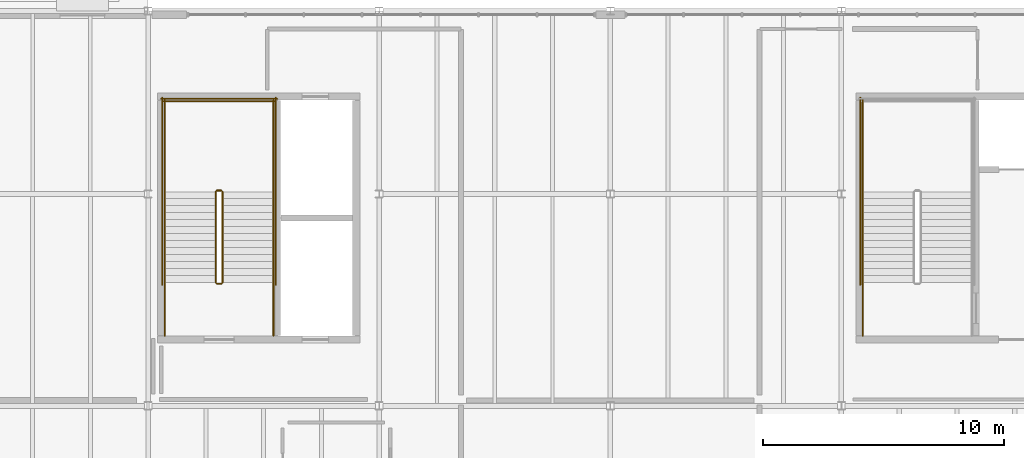
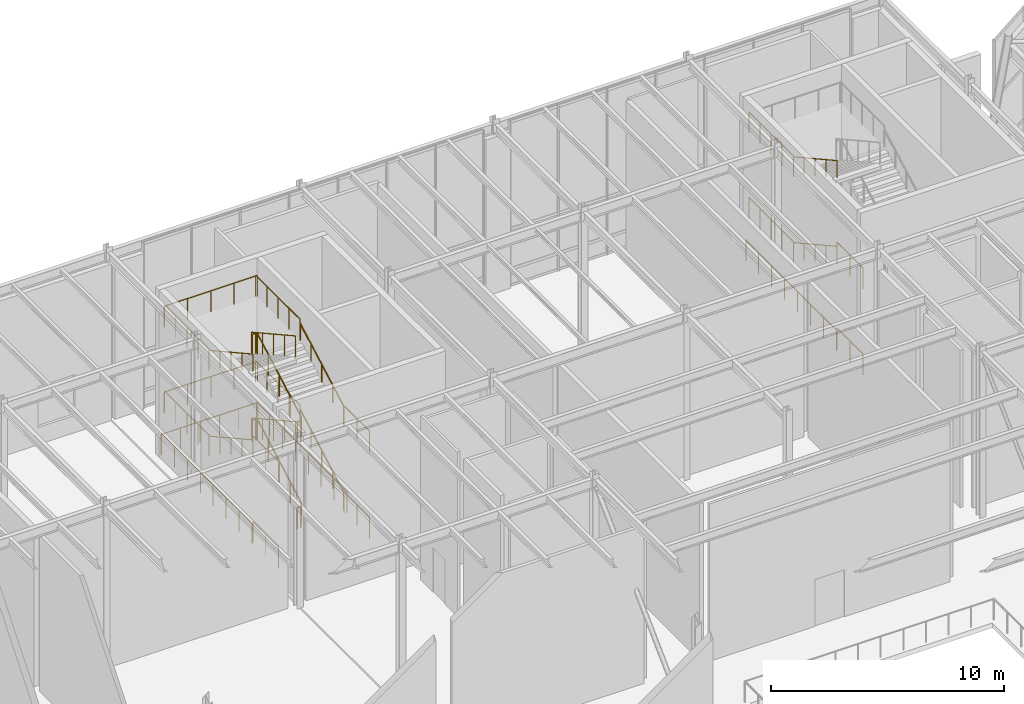
# One storey, part 45 of 48: 32 railings.
"""IFC4 building model written with IfcOpenShell, lengths in metres."""

from ifc_helpers import new_model, si_unit, direction, frame, origin, origin_2d, place, context, subcontext, project, spatial, circle, extrude, material, layer, layer_set, type_object, element, save


model = new_model("IFC4")

# Units and contexts
model_context = context("Model", 3, precision=1e-05, world=origin(), true_north=direction((0.0, 1.0)))
body_context = subcontext(model_context, "Body", "Model", "MODEL_VIEW")
ifc_project = project(units=[si_unit("LENGTHUNIT", "METRE"), si_unit("AREAUNIT", "SQUARE_METRE"), si_unit("VOLUMEUNIT", "CUBIC_METRE"), si_unit("PLANEANGLEUNIT", "RADIAN"), si_unit("MASSUNIT", "GRAM", prefix="KILO")], contexts=[model_context])

# Site, building, storey
site_placement = place(None, origin())
site = spatial("IfcSite", under=ifc_project, at=site_placement, CompositionType="ELEMENT")
building_placement = place(site_placement, origin())
building = spatial("IfcBuilding", under=site, at=building_placement, Name="Sarnbrook Museum", CompositionType="ELEMENT")
storey_placement = place(building_placement, frame((0.0, 0.0, 19.10009765625)))
storey = spatial("IfcBuildingStorey", under=building, at=storey_placement, Name="L04", CompositionType="ELEMENT", Elevation=19.10009765625)

# Railings
ifc_material = material(Name="Brushed Stainless Steel Grade 316", Category="steel")
ifc_layer_1 = layer(ifc_material, 0.050048828125)
ifc_layer_set_1 = layer_set([ifc_layer_1], Name="Brushed Stainless Steel Grade 316")
railing_type_1 = type_object("IfcRailingType", Name="Guard_Int1120", PredefinedType="BALUSTRADE", material=ifc_layer_set_1)
railing_1_placement = place(storey_placement, frame((110.489990234375, 100.889892578125, 2.25)))
element("IfcRailing", 1, at=railing_1_placement, inside=storey, type_object=railing_type_1, Name="L04 ST2 stair guard 4", PredefinedType="BALUSTRADE", context=body_context, shape_type="SweptSolid", body=[
    extrude(circle(Radius=0.02392578125, at=origin_2d()), frame((0.0, 0.0, 1.09619140625), z_axis=(0.0, 1.0, 0.0), x_axis=(-1.0, 0.0, 0.0)), (0.0, 0.0, 1.0), 3.81005859375),
    extrude(circle(Radius=0.02099609375, at=origin_2d()), origin(), (0.0, 0.0, 1.0), 1.072021484375),
    extrude(circle(Radius=0.02099609375, at=origin_2d()), frame((0.0, 0.95263671875, 0.0)), (0.0, 0.0, 1.0), 1.072021484375),
    extrude(circle(Radius=0.02099609375, at=origin_2d()), frame((0.0, 1.905029296875, 0.0)), (0.0, 0.0, 1.0), 1.072021484375),
    extrude(circle(Radius=0.02099609375, at=origin_2d()), frame((0.0, 2.857421875, 0.0)), (0.0, 0.0, 1.0), 1.072021484375),
    extrude(circle(Radius=0.02099609375, at=origin_2d()), frame((0.0, 3.81005859375, 0.0)), (0.0, 0.0, 1.0), 1.072021484375),
])
railing_2_placement = place(storey_placement, frame((110.489990234375, 94.89990234375, 4.5)))
element("IfcRailing", 2, at=railing_2_placement, inside=storey, type_object=railing_type_1, Name="L04 ST2 stair guard 9", PredefinedType="BALUSTRADE", context=body_context, shape_type="SweptSolid", body=[
    extrude(circle(Radius=0.02392578125, at=origin_2d()), frame((0.0, 0.0, 1.09619140625), z_axis=(0.0, 1.0, 0.0), x_axis=(-1.0, 0.0, 0.0)), (0.0, 0.0, 1.0), 2.22021484375),
    extrude(circle(Radius=0.02099609375, at=origin_2d()), origin(), (0.0, 0.0, 1.0), 1.072021484375),
    extrude(circle(Radius=0.02099609375, at=origin_2d()), frame((0.0, 1.110107421875, 0.0)), (0.0, 0.0, 1.0), 1.072021484375),
    extrude(circle(Radius=0.02099609375, at=origin_2d()), frame((0.0, 2.22021484375, 0.0)), (0.0, 0.0, 1.0), 1.072021484375),
])
railing_3_placement = place(storey_placement, frame((110.489990234375, 100.889892578125, 6.75)))
element("IfcRailing", 3, at=railing_3_placement, inside=storey, type_object=railing_type_1, Name="L04 ST2 stair guard 13", PredefinedType="BALUSTRADE", context=body_context, shape_type="SweptSolid", body=[
    extrude(circle(Radius=0.02392578125, at=origin_2d()), frame((0.0, 0.0, 1.09619140625), z_axis=(0.0, 1.0, 0.0), x_axis=(-1.0, 0.0, 0.0)), (0.0, 0.0, 1.0), 3.81005859375),
    extrude(circle(Radius=0.02099609375, at=origin_2d()), origin(), (0.0, 0.0, 1.0), 1.072021484375),
    extrude(circle(Radius=0.02099609375, at=origin_2d()), frame((0.0, 0.95263671875, 0.0)), (0.0, 0.0, 1.0), 1.072021484375),
    extrude(circle(Radius=0.02099609375, at=origin_2d()), frame((0.0, 1.905029296875, 0.0)), (0.0, 0.0, 1.0), 1.072021484375),
    extrude(circle(Radius=0.02099609375, at=origin_2d()), frame((0.0, 2.857421875, 0.0)), (0.0, 0.0, 1.0), 1.072021484375),
    extrude(circle(Radius=0.02099609375, at=origin_2d()), frame((0.0, 3.81005859375, 0.0)), (0.0, 0.0, 1.0), 1.072021484375),
])
railing_4_placement = place(storey_placement, frame((110.489990234375, 94.89990234375, 0.0)))
element("IfcRailing", 4, at=railing_4_placement, inside=storey, type_object=railing_type_1, Name="L04 ST2 stair guard 18", PredefinedType="BALUSTRADE", context=body_context, shape_type="SweptSolid", body=[
    extrude(circle(Radius=0.02392578125, at=origin_2d()), frame((0.0, 0.0, 1.09619140625), z_axis=(0.0, 1.0, 0.0), x_axis=(-1.0, 0.0, 0.0)), (0.0, 0.0, 1.0), 2.22021484375),
    extrude(circle(Radius=0.02099609375, at=origin_2d()), origin(), (0.0, 0.0, 1.0), 1.072021484375),
    extrude(circle(Radius=0.02099609375, at=origin_2d()), frame((0.0, 1.110107421875, 0.0)), (0.0, 0.0, 1.0), 1.072021484375),
    extrude(circle(Radius=0.02099609375, at=origin_2d()), frame((0.0, 2.22021484375, 0.0)), (0.0, 0.0, 1.0), 1.072021484375),
])
railing_5_placement = place(storey_placement, frame((110.389892578125, 97.02001953125, 0.0)))
element("IfcRailing", 5, at=railing_5_placement, inside=storey, type_object=railing_type_1, Name="L04 ST2 stair guard 20", PredefinedType="BALUSTRADE", context=body_context, shape_type="SweptSolid", body=[
    extrude(circle(Radius=0.02392578125, at=origin_2d()), frame((0.0, 0.0, 1.09619140625), z_axis=(0.0, 1.0, 0.0), x_axis=(-1.0, 0.0, 0.0)), (0.0, 0.0, 1.0), 7.780029296875),
    extrude(circle(Radius=0.02099609375, at=origin_2d()), origin(), (0.0, 0.0, 1.0), 1.072021484375),
    extrude(circle(Radius=0.02099609375, at=origin_2d()), frame((0.0, 1.111328125, 0.0)), (0.0, 0.0, 1.0), 1.072021484375),
    extrude(circle(Radius=0.02099609375, at=origin_2d()), frame((0.0, 2.222900390625, 0.0)), (0.0, 0.0, 1.0), 1.072021484375),
    extrude(circle(Radius=0.02099609375, at=origin_2d()), frame((0.0, 3.334228515625, 0.0)), (0.0, 0.0, 1.0), 1.072021484375),
    extrude(circle(Radius=0.02099609375, at=origin_2d()), frame((0.0, 4.44580078125, 0.0)), (0.0, 0.0, 1.0), 1.072021484375),
    extrude(circle(Radius=0.02099609375, at=origin_2d()), frame((0.0, 5.55712890625, 0.0)), (0.0, 0.0, 1.0), 1.072021484375),
    extrude(circle(Radius=0.02099609375, at=origin_2d()), frame((0.0, 6.668701171875, 0.0)), (0.0, 0.0, 1.0), 1.072021484375),
    extrude(circle(Radius=0.02099609375, at=origin_2d()), frame((0.0, 7.780029296875, 0.0)), (0.0, 0.0, 1.0), 1.072021484375),
])
railing_6_placement = place(storey_placement, frame((83.889892578125, 97.1201171875, 0.16064453125)))
element("IfcRailing", 6, at=railing_6_placement, inside=storey, type_object=railing_type_1, Name="L04 ST4 stair guard 1", PredefinedType="BALUSTRADE", context=body_context, shape_type="SweptSolid", body=[
    extrude(circle(Radius=0.02392578125, at=origin_2d()), frame((0.0, 0.0, 1.09619140625), z_axis=(0.0, 0.874645791573, 0.484762559697), x_axis=(-1.0, 0.0, 0.0)), (0.0, 0.0, 1.0), 4.31005859375),
    extrude(circle(Radius=0.02099609375, at=origin_2d()), origin(), (0.0, 0.0, 1.0), 1.072021484375),
    extrude(circle(Radius=0.02099609375, at=origin_2d()), frame((0.0, 0.9423828125, 0.5224609375)), (0.0, 0.0, 1.0), 1.072021484375),
    extrude(circle(Radius=0.02099609375, at=origin_2d()), frame((0.0, 1.884765625, 1.044677734375)), (0.0, 0.0, 1.0), 1.072021484375),
    extrude(circle(Radius=0.02099609375, at=origin_2d()), frame((0.0, 2.827392578125, 1.56689453125)), (0.0, 0.0, 1.0), 1.072021484375),
    extrude(circle(Radius=0.02099609375, at=origin_2d()), frame((0.0, 3.769775390625, 2.08935546875)), (0.0, 0.0, 1.0), 1.072021484375),
])
railing_7_placement = place(storey_placement, frame((83.840087890625, 100.93994140625, 2.25)))
element("IfcRailing", 7, at=railing_7_placement, inside=storey, type_object=railing_type_1, Name="L04 ST4 stair guard 2", PredefinedType="BALUSTRADE", context=body_context, shape_type="SweptSolid", body=[
    extrude(circle(Radius=0.02392578125, at=origin_2d()), frame((0.0, 0.0, 1.09619140625), z_axis=(-1.0, 0.0, 0.0), x_axis=(0.0, -1.0, 0.0)), (0.0, 0.0, 1.0), 0.18017578125),
    extrude(circle(Radius=0.02099609375, at=origin_2d()), origin(), (0.0, 0.0, 1.0), 1.072021484375),
    extrude(circle(Radius=0.02099609375, at=origin_2d()), frame((-0.18017578125, 0.0, 0.0)), (0.0, 0.0, 1.0), 1.072021484375),
])
for number, where, name in (
    (8, (86.010009765625, 100.889892578125, 2.25), "L04 ST4 stair guard 3"),
    (9, (81.489990234375, 100.889892578125, 2.25), "L04 ST4 stair guard 4"),
):
    element("IfcRailing", number, at=place(storey_placement, frame(where)), inside=storey, type_object=railing_type_1, Name=name, PredefinedType="BALUSTRADE", context=body_context, shape_type="SweptSolid", body=[
        extrude(circle(Radius=0.02392578125, at=origin_2d()), frame((0.0, 0.0, 1.09619140625), z_axis=(0.0, 1.0, 0.0), x_axis=(-1.0, 0.0, 0.0)), (0.0, 0.0, 1.0), 3.81005859375),
        extrude(circle(Radius=0.02099609375, at=origin_2d()), origin(), (0.0, 0.0, 1.0), 1.072021484375),
        extrude(circle(Radius=0.02099609375, at=origin_2d()), frame((0.0, 0.95263671875, 0.0)), (0.0, 0.0, 1.0), 1.072021484375),
        extrude(circle(Radius=0.02099609375, at=origin_2d()), frame((0.0, 1.905029296875, 0.0)), (0.0, 0.0, 1.0), 1.072021484375),
        extrude(circle(Radius=0.02099609375, at=origin_2d()), frame((0.0, 2.857421875, 0.0)), (0.0, 0.0, 1.0), 1.072021484375),
        extrude(circle(Radius=0.02099609375, at=origin_2d()), frame((0.0, 3.81005859375, 0.0)), (0.0, 0.0, 1.0), 1.072021484375),
    ])
railing_8_placement = place(storey_placement, frame((86.06005859375, 104.64990234375, 2.25)))
element("IfcRailing", 10, at=railing_8_placement, inside=storey, type_object=railing_type_1, Name="L04 ST4 stair guard 5", PredefinedType="BALUSTRADE", context=body_context, shape_type="SweptSolid", body=[
    extrude(circle(Radius=0.02392578125, at=origin_2d()), frame((0.0, 0.0, 1.09619140625), z_axis=(-1.0, 0.0, 0.0), x_axis=(0.0, -1.0, 0.0)), (0.0, 0.0, 1.0), 4.6201171875),
    extrude(circle(Radius=0.02099609375, at=origin_2d()), origin(), (0.0, 0.0, 1.0), 1.072021484375),
    extrude(circle(Radius=0.02099609375, at=origin_2d()), frame((-1.155029296875, 0.0, 0.0)), (0.0, 0.0, 1.0), 1.072021484375),
    extrude(circle(Radius=0.02099609375, at=origin_2d()), frame((-2.31005859375, 0.0, 0.0)), (0.0, 0.0, 1.0), 1.072021484375),
    extrude(circle(Radius=0.02099609375, at=origin_2d()), frame((-3.465087890625, 0.0, 0.0)), (0.0, 0.0, 1.0), 1.072021484375),
    extrude(circle(Radius=0.02099609375, at=origin_2d()), frame((-4.6201171875, 0.0, 0.0)), (0.0, 0.0, 1.0), 1.072021484375),
])
railing_9_placement = place(storey_placement, frame((83.610107421875, 100.889892578125, 2.41064453125)))
element("IfcRailing", 11, at=railing_9_placement, inside=storey, type_object=railing_type_1, Name="L04 ST4 stair guard 6", PredefinedType="BALUSTRADE", context=body_context, shape_type="SweptSolid", body=[
    extrude(circle(Radius=0.02392578125, at=origin_2d()), frame((0.0, 0.0, 1.09619140625), z_axis=(0.0, -0.874645791573, 0.484762559697), x_axis=(1.0, 0.0, 0.0)), (0.0, 0.0, 1.0), 4.31005859375),
    extrude(circle(Radius=0.02099609375, at=origin_2d()), origin(), (0.0, 0.0, 1.0), 1.072021484375),
    extrude(circle(Radius=0.02099609375, at=origin_2d()), frame((0.0, -0.9423828125, 0.5224609375)), (0.0, 0.0, 1.0), 1.072021484375),
    extrude(circle(Radius=0.02099609375, at=origin_2d()), frame((0.0, -1.884765625, 1.044677734375)), (0.0, 0.0, 1.0), 1.072021484375),
    extrude(circle(Radius=0.02099609375, at=origin_2d()), frame((0.0, -2.827392578125, 1.56689453125)), (0.0, 0.0, 1.0), 1.072021484375),
    extrude(circle(Radius=0.02099609375, at=origin_2d()), frame((0.0, -3.769775390625, 2.08935546875)), (0.0, 0.0, 1.0), 1.072021484375),
])
railing_10_placement = place(storey_placement, frame((83.840087890625, 97.070068359375, 4.5)))
element("IfcRailing", 12, at=railing_10_placement, inside=storey, type_object=railing_type_1, Name="L04 ST4 stair guard 7", PredefinedType="BALUSTRADE", context=body_context, shape_type="SweptSolid", body=[
    extrude(circle(Radius=0.02392578125, at=origin_2d()), frame((0.0, 0.0, 1.09619140625), z_axis=(-1.0, 0.0, 0.0), x_axis=(0.0, -1.0, 0.0)), (0.0, 0.0, 1.0), 0.18017578125),
    extrude(circle(Radius=0.02099609375, at=origin_2d()), origin(), (0.0, 0.0, 1.0), 1.072021484375),
    extrude(circle(Radius=0.02099609375, at=origin_2d()), frame((-0.18017578125, 0.0, 0.0)), (0.0, 0.0, 1.0), 1.072021484375),
])
for number, where, name in (
    (13, (86.010009765625, 94.89990234375, 4.5), "L04 ST4 stair guard 8"),
    (14, (81.489990234375, 94.89990234375, 4.5), "L04 ST4 stair guard 9"),
):
    element("IfcRailing", number, at=place(storey_placement, frame(where)), inside=storey, type_object=railing_type_1, Name=name, PredefinedType="BALUSTRADE", context=body_context, shape_type="SweptSolid", body=[
        extrude(circle(Radius=0.02392578125, at=origin_2d()), frame((0.0, 0.0, 1.09619140625), z_axis=(0.0, 1.0, 0.0), x_axis=(-1.0, 0.0, 0.0)), (0.0, 0.0, 1.0), 2.22021484375),
        extrude(circle(Radius=0.02099609375, at=origin_2d()), origin(), (0.0, 0.0, 1.0), 1.072021484375),
        extrude(circle(Radius=0.02099609375, at=origin_2d()), frame((0.0, 1.110107421875, 0.0)), (0.0, 0.0, 1.0), 1.072021484375),
        extrude(circle(Radius=0.02099609375, at=origin_2d()), frame((0.0, 2.22021484375, 0.0)), (0.0, 0.0, 1.0), 1.072021484375),
    ])
railing_11_placement = place(storey_placement, frame((83.889892578125, 97.1201171875, 4.66064453125)))
element("IfcRailing", 15, at=railing_11_placement, inside=storey, type_object=railing_type_1, Name="L04 ST4 stair guard 10", PredefinedType="BALUSTRADE", context=body_context, shape_type="SweptSolid", body=[
    extrude(circle(Radius=0.02392578125, at=origin_2d()), frame((0.0, 0.0, 1.09619140625), z_axis=(0.0, 0.874645791573, 0.484762559697), x_axis=(-1.0, 0.0, 0.0)), (0.0, 0.0, 1.0), 4.31005859375),
    extrude(circle(Radius=0.02099609375, at=origin_2d()), origin(), (0.0, 0.0, 1.0), 1.072021484375),
    extrude(circle(Radius=0.02099609375, at=origin_2d()), frame((0.0, 0.9423828125, 0.5224609375)), (0.0, 0.0, 1.0), 1.072021484375),
    extrude(circle(Radius=0.02099609375, at=origin_2d()), frame((0.0, 1.884765625, 1.044677734375)), (0.0, 0.0, 1.0), 1.072021484375),
    extrude(circle(Radius=0.02099609375, at=origin_2d()), frame((0.0, 2.827392578125, 1.56689453125)), (0.0, 0.0, 1.0), 1.072021484375),
    extrude(circle(Radius=0.02099609375, at=origin_2d()), frame((0.0, 3.769775390625, 2.08935546875)), (0.0, 0.0, 1.0), 1.072021484375),
])
railing_12_placement = place(storey_placement, frame((83.840087890625, 100.93994140625, 6.75)))
element("IfcRailing", 16, at=railing_12_placement, inside=storey, type_object=railing_type_1, Name="L04 ST4 stair guard 11", PredefinedType="BALUSTRADE", context=body_context, shape_type="SweptSolid", body=[
    extrude(circle(Radius=0.02392578125, at=origin_2d()), frame((0.0, 0.0, 1.09619140625), z_axis=(-1.0, 0.0, 0.0), x_axis=(0.0, -1.0, 0.0)), (0.0, 0.0, 1.0), 0.18017578125),
    extrude(circle(Radius=0.02099609375, at=origin_2d()), origin(), (0.0, 0.0, 1.0), 1.072021484375),
    extrude(circle(Radius=0.02099609375, at=origin_2d()), frame((-0.18017578125, 0.0, 0.0)), (0.0, 0.0, 1.0), 1.072021484375),
])
for number, where, name in (
    (17, (86.010009765625, 100.889892578125, 6.75), "L04 ST4 stair guard 12"),
    (18, (81.489990234375, 100.889892578125, 6.75), "L04 ST4 stair guard 13"),
):
    element("IfcRailing", number, at=place(storey_placement, frame(where)), inside=storey, type_object=railing_type_1, Name=name, PredefinedType="BALUSTRADE", context=body_context, shape_type="SweptSolid", body=[
        extrude(circle(Radius=0.02392578125, at=origin_2d()), frame((0.0, 0.0, 1.09619140625), z_axis=(0.0, 1.0, 0.0), x_axis=(-1.0, 0.0, 0.0)), (0.0, 0.0, 1.0), 3.81005859375),
        extrude(circle(Radius=0.02099609375, at=origin_2d()), origin(), (0.0, 0.0, 1.0), 1.072021484375),
        extrude(circle(Radius=0.02099609375, at=origin_2d()), frame((0.0, 0.95263671875, 0.0)), (0.0, 0.0, 1.0), 1.072021484375),
        extrude(circle(Radius=0.02099609375, at=origin_2d()), frame((0.0, 1.905029296875, 0.0)), (0.0, 0.0, 1.0), 1.072021484375),
        extrude(circle(Radius=0.02099609375, at=origin_2d()), frame((0.0, 2.857421875, 0.0)), (0.0, 0.0, 1.0), 1.072021484375),
        extrude(circle(Radius=0.02099609375, at=origin_2d()), frame((0.0, 3.81005859375, 0.0)), (0.0, 0.0, 1.0), 1.072021484375),
    ])
railing_13_placement = place(storey_placement, frame((86.06005859375, 104.64990234375, 6.75)))
element("IfcRailing", 19, at=railing_13_placement, inside=storey, type_object=railing_type_1, Name="L04 ST4 stair guard 14", PredefinedType="BALUSTRADE", context=body_context, shape_type="SweptSolid", body=[
    extrude(circle(Radius=0.02392578125, at=origin_2d()), frame((0.0, 0.0, 1.09619140625), z_axis=(-1.0, 0.0, 0.0), x_axis=(0.0, -1.0, 0.0)), (0.0, 0.0, 1.0), 4.6201171875),
    extrude(circle(Radius=0.02099609375, at=origin_2d()), origin(), (0.0, 0.0, 1.0), 1.072021484375),
    extrude(circle(Radius=0.02099609375, at=origin_2d()), frame((-1.155029296875, 0.0, 0.0)), (0.0, 0.0, 1.0), 1.072021484375),
    extrude(circle(Radius=0.02099609375, at=origin_2d()), frame((-2.31005859375, 0.0, 0.0)), (0.0, 0.0, 1.0), 1.072021484375),
    extrude(circle(Radius=0.02099609375, at=origin_2d()), frame((-3.465087890625, 0.0, 0.0)), (0.0, 0.0, 1.0), 1.072021484375),
    extrude(circle(Radius=0.02099609375, at=origin_2d()), frame((-4.6201171875, 0.0, 0.0)), (0.0, 0.0, 1.0), 1.072021484375),
])
railing_14_placement = place(storey_placement, frame((83.610107421875, 100.889892578125, 6.91064453125)))
element("IfcRailing", 20, at=railing_14_placement, inside=storey, type_object=railing_type_1, Name="L04 ST4 stair guard 15", PredefinedType="BALUSTRADE", context=body_context, shape_type="SweptSolid", body=[
    extrude(circle(Radius=0.02392578125, at=origin_2d()), frame((0.0, 0.0, 1.09619140625), z_axis=(0.0, -0.874645791573, 0.484762559697), x_axis=(1.0, 0.0, 0.0)), (0.0, 0.0, 1.0), 4.31005859375),
    extrude(circle(Radius=0.02099609375, at=origin_2d()), origin(), (0.0, 0.0, 1.0), 1.072021484375),
    extrude(circle(Radius=0.02099609375, at=origin_2d()), frame((0.0, -0.9423828125, 0.5224609375)), (0.0, 0.0, 1.0), 1.072021484375),
    extrude(circle(Radius=0.02099609375, at=origin_2d()), frame((0.0, -1.884765625, 1.044677734375)), (0.0, 0.0, 1.0), 1.072021484375),
    extrude(circle(Radius=0.02099609375, at=origin_2d()), frame((0.0, -2.827392578125, 1.56689453125)), (0.0, 0.0, 1.0), 1.072021484375),
    extrude(circle(Radius=0.02099609375, at=origin_2d()), frame((0.0, -3.769775390625, 2.08935546875)), (0.0, 0.0, 1.0), 1.072021484375),
])
railing_15_placement = place(storey_placement, frame((83.840087890625, 97.070068359375, 0.0)))
element("IfcRailing", 21, at=railing_15_placement, inside=storey, type_object=railing_type_1, Name="L04 ST4 stair guard 16", PredefinedType="BALUSTRADE", context=body_context, shape_type="SweptSolid", body=[
    extrude(circle(Radius=0.02392578125, at=origin_2d()), frame((0.0, 0.0, 1.09619140625), z_axis=(-1.0, 0.0, 0.0), x_axis=(0.0, -1.0, 0.0)), (0.0, 0.0, 1.0), 0.18017578125),
    extrude(circle(Radius=0.02099609375, at=origin_2d()), origin(), (0.0, 0.0, 1.0), 1.072021484375),
    extrude(circle(Radius=0.02099609375, at=origin_2d()), frame((-0.18017578125, 0.0, 0.0)), (0.0, 0.0, 1.0), 1.072021484375),
])
for number, where, name in (
    (22, (86.010009765625, 94.89990234375, 0.0), "L04 ST4 stair guard 17"),
    (23, (81.489990234375, 94.89990234375, 0.0), "L04 ST4 stair guard 18"),
):
    element("IfcRailing", number, at=place(storey_placement, frame(where)), inside=storey, type_object=railing_type_1, Name=name, PredefinedType="BALUSTRADE", context=body_context, shape_type="SweptSolid", body=[
        extrude(circle(Radius=0.02392578125, at=origin_2d()), frame((0.0, 0.0, 1.09619140625), z_axis=(0.0, 1.0, 0.0), x_axis=(-1.0, 0.0, 0.0)), (0.0, 0.0, 1.0), 2.22021484375),
        extrude(circle(Radius=0.02099609375, at=origin_2d()), origin(), (0.0, 0.0, 1.0), 1.072021484375),
        extrude(circle(Radius=0.02099609375, at=origin_2d()), frame((0.0, 1.110107421875, 0.0)), (0.0, 0.0, 1.0), 1.072021484375),
        extrude(circle(Radius=0.02099609375, at=origin_2d()), frame((0.0, 2.22021484375, 0.0)), (0.0, 0.0, 1.0), 1.072021484375),
    ])
for number, where, name in (
    (24, (86.110107421875, 97.02001953125, 0.0), "L04 ST4 stair guard 19"),
    (25, (81.389892578125, 97.02001953125, 0.0), "L04 ST4 stair guard 20"),
):
    element("IfcRailing", number, at=place(storey_placement, frame(where)), inside=storey, type_object=railing_type_1, Name=name, PredefinedType="BALUSTRADE", context=body_context, shape_type="SweptSolid", body=[
        extrude(circle(Radius=0.02392578125, at=origin_2d()), frame((0.0, 0.0, 1.09619140625), z_axis=(0.0, 1.0, 0.0), x_axis=(-1.0, 0.0, 0.0)), (0.0, 0.0, 1.0), 7.780029296875),
        extrude(circle(Radius=0.02099609375, at=origin_2d()), origin(), (0.0, 0.0, 1.0), 1.072021484375),
        extrude(circle(Radius=0.02099609375, at=origin_2d()), frame((0.0, 1.111328125, 0.0)), (0.0, 0.0, 1.0), 1.072021484375),
        extrude(circle(Radius=0.02099609375, at=origin_2d()), frame((0.0, 2.222900390625, 0.0)), (0.0, 0.0, 1.0), 1.072021484375),
        extrude(circle(Radius=0.02099609375, at=origin_2d()), frame((0.0, 3.334228515625, 0.0)), (0.0, 0.0, 1.0), 1.072021484375),
        extrude(circle(Radius=0.02099609375, at=origin_2d()), frame((0.0, 4.44580078125, 0.0)), (0.0, 0.0, 1.0), 1.072021484375),
        extrude(circle(Radius=0.02099609375, at=origin_2d()), frame((0.0, 5.55712890625, 0.0)), (0.0, 0.0, 1.0), 1.072021484375),
        extrude(circle(Radius=0.02099609375, at=origin_2d()), frame((0.0, 6.668701171875, 0.0)), (0.0, 0.0, 1.0), 1.072021484375),
        extrude(circle(Radius=0.02099609375, at=origin_2d()), frame((0.0, 7.780029296875, 0.0)), (0.0, 0.0, 1.0), 1.072021484375),
    ])
railing_16_placement = place(storey_placement, frame((86.159912109375, 104.75, 0.0)))
element("IfcRailing", 26, at=railing_16_placement, inside=storey, type_object=railing_type_1, Name="L04 ST4 stair guard 21", PredefinedType="BALUSTRADE", context=body_context, shape_type="SweptSolid", body=[
    extrude(circle(Radius=0.02392578125, at=origin_2d()), frame((0.0, 0.0, 1.09619140625), z_axis=(-1.0, 0.0, 0.0), x_axis=(0.0, -1.0, 0.0)), (0.0, 0.0, 1.0), 4.81982421875),
    extrude(circle(Radius=0.02099609375, at=origin_2d()), origin(), (0.0, 0.0, 1.0), 1.072021484375),
    extrude(circle(Radius=0.02099609375, at=origin_2d()), frame((-0.9638671875, 0.0, 0.0)), (0.0, 0.0, 1.0), 1.072021484375),
    extrude(circle(Radius=0.02099609375, at=origin_2d()), frame((-1.927978515625, 0.0, 0.0)), (0.0, 0.0, 1.0), 1.072021484375),
    extrude(circle(Radius=0.02099609375, at=origin_2d()), frame((-2.891845703125, 0.0, 0.0)), (0.0, 0.0, 1.0), 1.072021484375),
    extrude(circle(Radius=0.02099609375, at=origin_2d()), frame((-3.85595703125, 0.0, 0.0)), (0.0, 0.0, 1.0), 1.072021484375),
    extrude(circle(Radius=0.02099609375, at=origin_2d()), frame((-4.81982421875, 0.0, 0.0)), (0.0, 0.0, 1.0), 1.072021484375),
])
ifc_layer_2 = layer(ifc_material, 0.048095703125)
ifc_layer_set_2 = layer_set([ifc_layer_2], Name="Brushed Stainless Steel Grade 316")
railing_type_2 = type_object("IfcRailingType", Name="Handrail_920", PredefinedType="HANDRAIL", material=ifc_layer_set_2)
for number, where, name in (
    (27, (110.489990234375, 100.889892578125, 2.41064453125), "L04 ST2 stair handrail 2"),
    (28, (110.489990234375, 100.889892578125, 6.91064453125), "L04 ST2 stair handrail 4"),
):
    element("IfcRailing", number, at=place(storey_placement, frame(where)), inside=storey, type_object=railing_type_2, Name=name, PredefinedType="HANDRAIL", context=body_context, shape_type="SweptSolid", body=[
        extrude(circle(Radius=0.02392578125, at=origin_2d()), frame((0.0, 0.0, 0.8857421875), z_axis=(0.0, -0.874645791573, 0.484762559697), x_axis=(1.0, 0.0, 0.0)), (0.0, 0.0, 1.0), 4.31005859375),
        extrude(circle(Radius=0.02099609375, at=origin_2d()), origin(), (0.0, 0.0, 1.0), 0.86181640625),
        extrude(circle(Radius=0.02099609375, at=origin_2d()), frame((0.0, -0.9423828125, 0.5224609375)), (0.0, 0.0, 1.0), 0.86181640625),
        extrude(circle(Radius=0.02099609375, at=origin_2d()), frame((0.0, -1.884765625, 1.044677734375)), (0.0, 0.0, 1.0), 0.86181640625),
        extrude(circle(Radius=0.02099609375, at=origin_2d()), frame((0.0, -2.827392578125, 1.56689453125)), (0.0, 0.0, 1.0), 0.86181640625),
        extrude(circle(Radius=0.02099609375, at=origin_2d()), frame((0.0, -3.769775390625, 2.08935546875)), (0.0, 0.0, 1.0), 0.86181640625),
    ])
railing_17_placement = place(storey_placement, frame((86.010009765625, 97.1201171875, 0.16064453125)))
element("IfcRailing", 29, at=railing_17_placement, inside=storey, type_object=railing_type_2, Name="L04 ST4 stair handrail 1", PredefinedType="HANDRAIL", context=body_context, shape_type="SweptSolid", body=[
    extrude(circle(Radius=0.02392578125, at=origin_2d()), frame((0.0, 0.0, 0.8857421875), z_axis=(0.0, 0.874645791573, 0.484762559697), x_axis=(-1.0, 0.0, 0.0)), (0.0, 0.0, 1.0), 4.31005859375),
    extrude(circle(Radius=0.02099609375, at=origin_2d()), origin(), (0.0, 0.0, 1.0), 0.86181640625),
    extrude(circle(Radius=0.02099609375, at=origin_2d()), frame((0.0, 0.9423828125, 0.5224609375)), (0.0, 0.0, 1.0), 0.86181640625),
    extrude(circle(Radius=0.02099609375, at=origin_2d()), frame((0.0, 1.884765625, 1.044677734375)), (0.0, 0.0, 1.0), 0.86181640625),
    extrude(circle(Radius=0.02099609375, at=origin_2d()), frame((0.0, 2.827392578125, 1.56689453125)), (0.0, 0.0, 1.0), 0.86181640625),
    extrude(circle(Radius=0.02099609375, at=origin_2d()), frame((0.0, 3.769775390625, 2.08935546875)), (0.0, 0.0, 1.0), 0.86181640625),
])
railing_18_placement = place(storey_placement, frame((81.489990234375, 100.889892578125, 2.41064453125)))
element("IfcRailing", 30, at=railing_18_placement, inside=storey, type_object=railing_type_2, Name="L04 ST4 stair handrail 2", PredefinedType="HANDRAIL", context=body_context, shape_type="SweptSolid", body=[
    extrude(circle(Radius=0.02392578125, at=origin_2d()), frame((0.0, 0.0, 0.8857421875), z_axis=(0.0, -0.874645791573, 0.484762559697), x_axis=(1.0, 0.0, 0.0)), (0.0, 0.0, 1.0), 4.31005859375),
    extrude(circle(Radius=0.02099609375, at=origin_2d()), origin(), (0.0, 0.0, 1.0), 0.86181640625),
    extrude(circle(Radius=0.02099609375, at=origin_2d()), frame((0.0, -0.9423828125, 0.5224609375)), (0.0, 0.0, 1.0), 0.86181640625),
    extrude(circle(Radius=0.02099609375, at=origin_2d()), frame((0.0, -1.884765625, 1.044677734375)), (0.0, 0.0, 1.0), 0.86181640625),
    extrude(circle(Radius=0.02099609375, at=origin_2d()), frame((0.0, -2.827392578125, 1.56689453125)), (0.0, 0.0, 1.0), 0.86181640625),
    extrude(circle(Radius=0.02099609375, at=origin_2d()), frame((0.0, -3.769775390625, 2.08935546875)), (0.0, 0.0, 1.0), 0.86181640625),
])
railing_19_placement = place(storey_placement, frame((86.010009765625, 97.1201171875, 4.66064453125)))
element("IfcRailing", 31, at=railing_19_placement, inside=storey, type_object=railing_type_2, Name="L04 ST4 stair handrail 3", PredefinedType="HANDRAIL", context=body_context, shape_type="SweptSolid", body=[
    extrude(circle(Radius=0.02392578125, at=origin_2d()), frame((0.0, 0.0, 0.8857421875), z_axis=(0.0, 0.874645791573, 0.484762559697), x_axis=(-1.0, 0.0, 0.0)), (0.0, 0.0, 1.0), 4.31005859375),
    extrude(circle(Radius=0.02099609375, at=origin_2d()), origin(), (0.0, 0.0, 1.0), 0.86181640625),
    extrude(circle(Radius=0.02099609375, at=origin_2d()), frame((0.0, 0.9423828125, 0.5224609375)), (0.0, 0.0, 1.0), 0.86181640625),
    extrude(circle(Radius=0.02099609375, at=origin_2d()), frame((0.0, 1.884765625, 1.044677734375)), (0.0, 0.0, 1.0), 0.86181640625),
    extrude(circle(Radius=0.02099609375, at=origin_2d()), frame((0.0, 2.827392578125, 1.56689453125)), (0.0, 0.0, 1.0), 0.86181640625),
    extrude(circle(Radius=0.02099609375, at=origin_2d()), frame((0.0, 3.769775390625, 2.08935546875)), (0.0, 0.0, 1.0), 0.86181640625),
])
railing_20_placement = place(storey_placement, frame((81.489990234375, 100.889892578125, 6.91064453125)))
element("IfcRailing", 32, at=railing_20_placement, inside=storey, type_object=railing_type_2, Name="L04 ST4 stair handrail 4", PredefinedType="HANDRAIL", context=body_context, shape_type="SweptSolid", body=[
    extrude(circle(Radius=0.02392578125, at=origin_2d()), frame((0.0, 0.0, 0.8857421875), z_axis=(0.0, -0.874645791573, 0.484762559697), x_axis=(1.0, 0.0, 0.0)), (0.0, 0.0, 1.0), 4.31005859375),
    extrude(circle(Radius=0.02099609375, at=origin_2d()), origin(), (0.0, 0.0, 1.0), 0.86181640625),
    extrude(circle(Radius=0.02099609375, at=origin_2d()), frame((0.0, -0.9423828125, 0.5224609375)), (0.0, 0.0, 1.0), 0.86181640625),
    extrude(circle(Radius=0.02099609375, at=origin_2d()), frame((0.0, -1.884765625, 1.044677734375)), (0.0, 0.0, 1.0), 0.86181640625),
    extrude(circle(Radius=0.02099609375, at=origin_2d()), frame((0.0, -2.827392578125, 1.56689453125)), (0.0, 0.0, 1.0), 0.86181640625),
    extrude(circle(Radius=0.02099609375, at=origin_2d()), frame((0.0, -3.769775390625, 2.08935546875)), (0.0, 0.0, 1.0), 0.86181640625),
])

save(model, "model.ifc")
